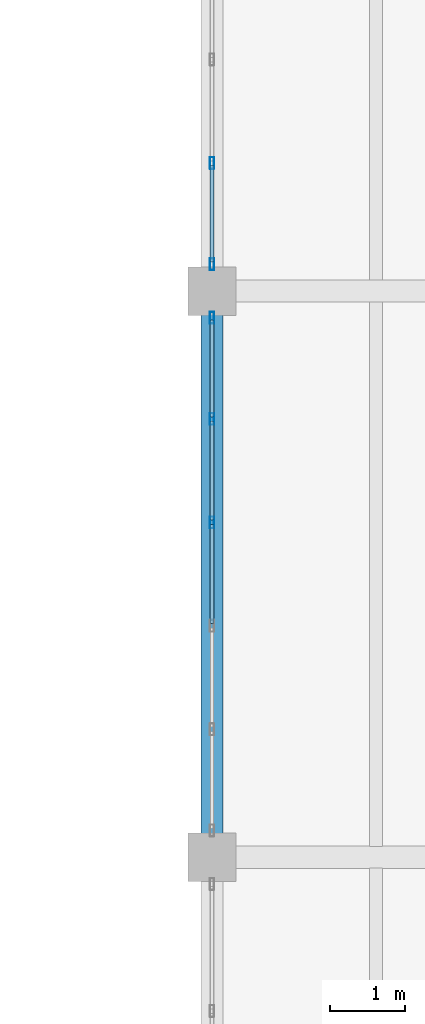
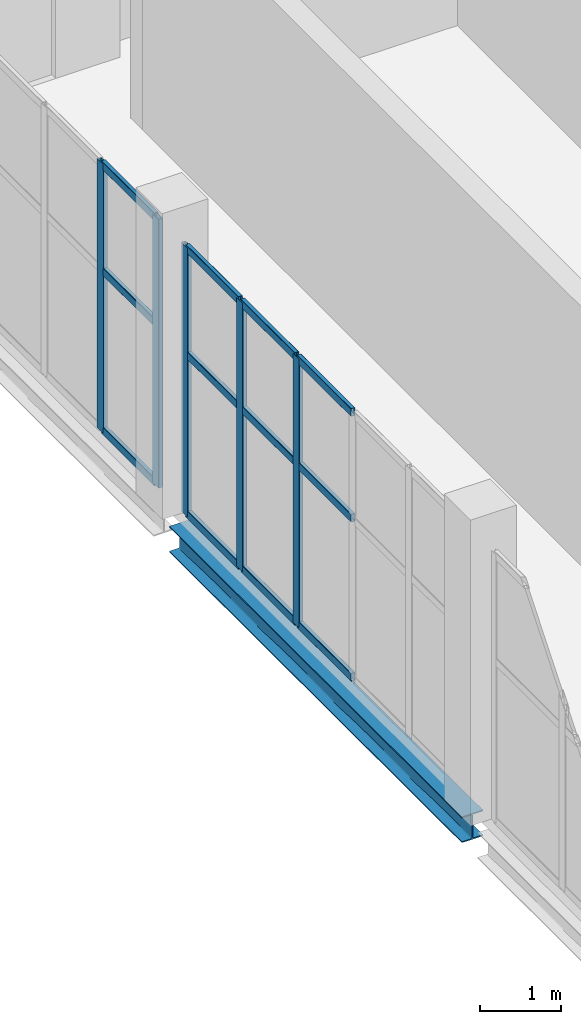
# One storey, part 100 of 172: 17 members, 1 beam, 2 elements without a shape of their own.
"""IFC4 building model written with IfcOpenShell, lengths in metres."""

from ifc_helpers import new_model, si_unit, direction, frame, origin, origin_2d, place, context, subcontext, project, spatial, hollow_rectangle, i_section, extrude, material, material_profile, profile_set, type_object, element, aggregate, save


model = new_model("IFC4")

# Units and contexts
model_context = context("Model", 3, precision=1e-05, world=origin(), true_north=direction((0.0, 1.0)))
body_context = subcontext(model_context, "Body", "Model", "MODEL_VIEW")
ifc_project = project(units=[si_unit("LENGTHUNIT", "METRE"), si_unit("AREAUNIT", "SQUARE_METRE"), si_unit("VOLUMEUNIT", "CUBIC_METRE"), si_unit("PLANEANGLEUNIT", "RADIAN"), si_unit("MASSUNIT", "GRAM", prefix="KILO")], contexts=[model_context])

# Site, building, storey
site_placement = place(None, origin())
site = spatial("IfcSite", under=ifc_project, at=site_placement, CompositionType="ELEMENT")
building_placement = place(site_placement, origin())
building = spatial("IfcBuilding", under=site, at=building_placement, Name="Shengluoqiao Park Theatre", CompositionType="ELEMENT")
storey_placement = place(building_placement, frame((0.0, 0.0, 5.39990234375)))
storey = spatial("IfcBuildingStorey", under=building, at=storey_placement, Name="L01", CompositionType="ELEMENT", Elevation=5.39990234375)

# Curtain wall, members
ifc_material_1 = material(Name="Aluminium 6063-T6", Category="aluminium")
curtain_wall_type = type_object("IfcCurtainWallType", Name="ENV-CW-COURT", PredefinedType="NOTDEFINED", material=ifc_material_1)
curtain_wall_1_placement = place(storey_placement, origin())
curtain_wall_1 = element("IfcCurtainWall", 1, at=curtain_wall_1_placement, inside=storey, type_object=curtain_wall_type, Name="L01 Curtain Wall CWX-L01-0183", PredefinedType="NOTDEFINED")
ifc_material_profile_1 = material_profile(ifc_material_1, hollow_rectangle(XDim=0.06005859375, YDim=0.159912109375, WallThickness=0.00390625, InnerFilletRadius=0.00390625, OuterFilletRadius=0.008056640625, at=origin_2d()), Name="ALU MULLION 160x60x4")
ifc_profile_set_1 = profile_set([ifc_material_profile_1], Name="Aluminium 6063-T6")
member_type_1 = type_object("IfcMemberType", Name="ENV-MUL-160", PredefinedType="MULLION", material=ifc_profile_set_1)
member_1_placement = place(storey_placement, frame((157.199951171875, 42.494140625, 0.0), z_axis=(0.0, 0.0, 1.0), x_axis=(-1.0, 0.0, 0.0)))
member_1 = element("IfcMember", 2, at=member_1_placement, type_object=member_type_1, Name="CW-05 mullion 4", PredefinedType="MULLION", context=body_context, shape_type="SweptSolid", body=[
    extrude(hollow_rectangle(XDim=0.06005859375, YDim=0.159912109375, WallThickness=0.00390625, InnerFilletRadius=0.00390625, OuterFilletRadius=0.008056640625, at=origin_2d()), origin(), (0.0, 0.0, 1.0), 4.044189453125),
])
member_2_placement = place(storey_placement, frame((157.199951171875, 43.882568359375, 0.0), z_axis=(0.0, 0.0, 1.0), x_axis=(-1.0, 0.0, 0.0)))
member_2 = element("IfcMember", 3, at=member_2_placement, type_object=member_type_1, Name="CW-05 mullion 5", PredefinedType="MULLION", context=body_context, shape_type="SweptSolid", body=[
    extrude(hollow_rectangle(XDim=0.06005859375, YDim=0.159912109375, WallThickness=0.00390625, InnerFilletRadius=0.00390625, OuterFilletRadius=0.008056640625, at=origin_2d()), origin(), (0.0, 0.0, 1.0), 4.044189453125),
])
member_3_placement = place(storey_placement, frame((157.199951171875, 45.240966796875, 0.0), z_axis=(0.0, 0.0, 1.0), x_axis=(-1.0, 0.0, 0.0)))
member_3 = element("IfcMember", 4, at=member_3_placement, type_object=member_type_1, Name="CW-05 mullion 6", PredefinedType="MULLION", context=body_context, shape_type="SweptSolid", body=[
    extrude(hollow_rectangle(XDim=0.06005859375, YDim=0.159912109375, WallThickness=0.00390625, InnerFilletRadius=0.00390625, OuterFilletRadius=0.008056640625, at=origin_2d()), origin(), (0.0, 0.0, 1.0), 4.044189453125),
])

curtain_wall_2_placement = place(storey_placement, origin())
curtain_wall_2 = element("IfcCurtainWall", 5, at=curtain_wall_2_placement, inside=storey, type_object=curtain_wall_type, Name="L01 Curtain Wall CWX-L01-0184", PredefinedType="NOTDEFINED")
member_4_placement = place(storey_placement, frame((157.199951171875, 45.958984375, 0.0), z_axis=(0.0, 0.0, 1.0), x_axis=(-1.0, 0.0, 0.0)))
member_4 = element("IfcMember", 6, at=member_4_placement, type_object=member_type_1, Name="CW-05 mullion 1", PredefinedType="MULLION", context=body_context, shape_type="SweptSolid", body=[
    extrude(hollow_rectangle(XDim=0.06005859375, YDim=0.159912109375, WallThickness=0.00390625, InnerFilletRadius=0.00390625, OuterFilletRadius=0.008056640625, at=origin_2d()), origin(), (0.0, 0.0, 1.0), 4.044189453125),
])
member_5_placement = place(storey_placement, frame((157.199951171875, 47.3173828125, 0.0), z_axis=(0.0, 0.0, 1.0), x_axis=(-1.0, 0.0, 0.0)))
member_5 = element("IfcMember", 7, at=member_5_placement, type_object=member_type_1, Name="CW-05 mullion 2", PredefinedType="MULLION", context=body_context, shape_type="SweptSolid", body=[
    extrude(hollow_rectangle(XDim=0.06005859375, YDim=0.159912109375, WallThickness=0.00390625, InnerFilletRadius=0.00390625, OuterFilletRadius=0.008056640625, at=origin_2d()), origin(), (0.0, 0.0, 1.0), 4.044189453125),
])

# Member
ifc_material_profile_2 = material_profile(ifc_material_1, hollow_rectangle(XDim=0.06005859375, YDim=0.1201171875, WallThickness=0.00390625, InnerFilletRadius=0.00390625, OuterFilletRadius=0.008056640625, at=origin_2d()), Name="ALU TRANSOM 120x60x4")
ifc_profile_set_2 = profile_set([ifc_material_profile_2], Name="Aluminium 6063-T6")
member_type_2 = type_object("IfcMemberType", Name="ENV-TRN-120", PredefinedType="USERDEFINED", material=ifc_profile_set_2)
member_6_placement = place(storey_placement, frame((157.199951171875, 41.1357421875, 0.030029296875), z_axis=(0.0, 1.0, 0.0), x_axis=(-1.0, 0.0, 0.0)))
member_6 = element("IfcMember", 8, at=member_6_placement, type_object=member_type_2, Name="CW-05 transom 3.1", ObjectType="TRANSOM", PredefinedType="USERDEFINED", context=body_context, shape_type="SweptSolid", body=[
    extrude(hollow_rectangle(XDim=0.06005859375, YDim=0.1201171875, WallThickness=0.00390625, InnerFilletRadius=0.00390625, OuterFilletRadius=0.008056640625, at=origin_2d()), origin(), (0.0, 0.0, 1.0), 1.328369140625),
])

member_7_placement = place(storey_placement, frame((157.199951171875, 41.1357421875, 2.426025390625), z_axis=(0.0, 1.0, 0.0), x_axis=(-1.0, 0.0, 0.0)))
member_7 = element("IfcMember", 9, at=member_7_placement, type_object=member_type_2, Name="CW-05 transom 3.2", ObjectType="TRANSOM", PredefinedType="USERDEFINED", context=body_context, shape_type="SweptSolid", body=[
    extrude(hollow_rectangle(XDim=0.06005859375, YDim=0.1201171875, WallThickness=0.00390625, InnerFilletRadius=0.00390625, OuterFilletRadius=0.008056640625, at=origin_2d()), origin(), (0.0, 0.0, 1.0), 1.328369140625),
])

member_8_placement = place(storey_placement, frame((157.199951171875, 41.1357421875, 4.01416015625), z_axis=(0.0, 1.0, 0.0), x_axis=(-1.0, 0.0, 0.0)))
member_8 = element("IfcMember", 10, at=member_8_placement, type_object=member_type_2, Name="CW-05 transom 3.3", ObjectType="TRANSOM", PredefinedType="USERDEFINED", context=body_context, shape_type="SweptSolid", body=[
    extrude(hollow_rectangle(XDim=0.06005859375, YDim=0.1201171875, WallThickness=0.00390625, InnerFilletRadius=0.00390625, OuterFilletRadius=0.008056640625, at=origin_2d()), origin(), (0.0, 0.0, 1.0), 1.328369140625),
])

member_9_placement = place(storey_placement, frame((157.199951171875, 42.524169921875, 0.030029296875), z_axis=(0.0, 1.0, 0.0), x_axis=(-1.0, 0.0, 0.0)))
member_9 = element("IfcMember", 11, at=member_9_placement, type_object=member_type_2, Name="CW-05 transom 4.1", ObjectType="TRANSOM", PredefinedType="USERDEFINED", context=body_context, shape_type="SweptSolid", body=[
    extrude(hollow_rectangle(XDim=0.06005859375, YDim=0.1201171875, WallThickness=0.00390625, InnerFilletRadius=0.00390625, OuterFilletRadius=0.008056640625, at=origin_2d()), origin(), (0.0, 0.0, 1.0), 1.328369140625),
])

member_10_placement = place(storey_placement, frame((157.199951171875, 42.524169921875, 2.426025390625), z_axis=(0.0, 1.0, 0.0), x_axis=(-1.0, 0.0, 0.0)))
member_10 = element("IfcMember", 12, at=member_10_placement, type_object=member_type_2, Name="CW-05 transom 4.2", ObjectType="TRANSOM", PredefinedType="USERDEFINED", context=body_context, shape_type="SweptSolid", body=[
    extrude(hollow_rectangle(XDim=0.06005859375, YDim=0.1201171875, WallThickness=0.00390625, InnerFilletRadius=0.00390625, OuterFilletRadius=0.008056640625, at=origin_2d()), origin(), (0.0, 0.0, 1.0), 1.328369140625),
])

member_11_placement = place(storey_placement, frame((157.199951171875, 42.524169921875, 4.01416015625), z_axis=(0.0, 1.0, 0.0), x_axis=(-1.0, 0.0, 0.0)))
member_11 = element("IfcMember", 13, at=member_11_placement, type_object=member_type_2, Name="CW-05 transom 4.3", ObjectType="TRANSOM", PredefinedType="USERDEFINED", context=body_context, shape_type="SweptSolid", body=[
    extrude(hollow_rectangle(XDim=0.06005859375, YDim=0.1201171875, WallThickness=0.00390625, InnerFilletRadius=0.00390625, OuterFilletRadius=0.008056640625, at=origin_2d()), origin(), (0.0, 0.0, 1.0), 1.328369140625),
])

member_12_placement = place(storey_placement, frame((157.199951171875, 43.91259765625, 0.030029296875), z_axis=(0.0, 1.0, 0.0), x_axis=(-1.0, 0.0, 0.0)))
member_12 = element("IfcMember", 14, at=member_12_placement, type_object=member_type_2, Name="CW-05 transom 5.1", ObjectType="TRANSOM", PredefinedType="USERDEFINED", context=body_context, shape_type="SweptSolid", body=[
    extrude(hollow_rectangle(XDim=0.06005859375, YDim=0.1201171875, WallThickness=0.00390625, InnerFilletRadius=0.00390625, OuterFilletRadius=0.008056640625, at=origin_2d()), origin(), (0.0, 0.0, 1.0), 1.29833984375),
])

member_13_placement = place(storey_placement, frame((157.199951171875, 43.91259765625, 2.426025390625), z_axis=(0.0, 1.0, 0.0), x_axis=(-1.0, 0.0, 0.0)))
member_13 = element("IfcMember", 15, at=member_13_placement, type_object=member_type_2, Name="CW-05 transom 5.2", ObjectType="TRANSOM", PredefinedType="USERDEFINED", context=body_context, shape_type="SweptSolid", body=[
    extrude(hollow_rectangle(XDim=0.06005859375, YDim=0.1201171875, WallThickness=0.00390625, InnerFilletRadius=0.00390625, OuterFilletRadius=0.008056640625, at=origin_2d()), origin(), (0.0, 0.0, 1.0), 1.29833984375),
])

member_14_placement = place(storey_placement, frame((157.199951171875, 43.91259765625, 4.01416015625), z_axis=(0.0, 1.0, 0.0), x_axis=(-1.0, 0.0, 0.0)))
member_14 = element("IfcMember", 16, at=member_14_placement, type_object=member_type_2, Name="CW-05 transom 5.3", ObjectType="TRANSOM", PredefinedType="USERDEFINED", context=body_context, shape_type="SweptSolid", body=[
    extrude(hollow_rectangle(XDim=0.06005859375, YDim=0.1201171875, WallThickness=0.00390625, InnerFilletRadius=0.00390625, OuterFilletRadius=0.008056640625, at=origin_2d()), origin(), (0.0, 0.0, 1.0), 1.29833984375),
])

aggregate(curtain_wall_1, [member_1, member_2, member_3, member_6, member_7, member_8, member_9, member_10, member_11, member_12, member_13, member_14])

member_15_placement = place(storey_placement, frame((157.199951171875, 45.989013671875, 0.030029296875), z_axis=(0.0, 1.0, 0.0), x_axis=(-1.0, 0.0, 0.0)))
member_15 = element("IfcMember", 17, at=member_15_placement, type_object=member_type_2, Name="CW-05 transom 1.1", ObjectType="TRANSOM", PredefinedType="USERDEFINED", context=body_context, shape_type="SweptSolid", body=[
    extrude(hollow_rectangle(XDim=0.06005859375, YDim=0.1201171875, WallThickness=0.00390625, InnerFilletRadius=0.00390625, OuterFilletRadius=0.008056640625, at=origin_2d()), origin(), (0.0, 0.0, 1.0), 1.29833984375),
])

member_16_placement = place(storey_placement, frame((157.199951171875, 45.989013671875, 2.426025390625), z_axis=(0.0, 1.0, 0.0), x_axis=(-1.0, 0.0, 0.0)))
member_16 = element("IfcMember", 18, at=member_16_placement, type_object=member_type_2, Name="CW-05 transom 1.2", ObjectType="TRANSOM", PredefinedType="USERDEFINED", context=body_context, shape_type="SweptSolid", body=[
    extrude(hollow_rectangle(XDim=0.06005859375, YDim=0.1201171875, WallThickness=0.00390625, InnerFilletRadius=0.00390625, OuterFilletRadius=0.008056640625, at=origin_2d()), origin(), (0.0, 0.0, 1.0), 1.29833984375),
])

member_17_placement = place(storey_placement, frame((157.199951171875, 45.989013671875, 4.01416015625), z_axis=(0.0, 1.0, 0.0), x_axis=(-1.0, 0.0, 0.0)))
member_17 = element("IfcMember", 19, at=member_17_placement, type_object=member_type_2, Name="CW-05 transom 1.3", ObjectType="TRANSOM", PredefinedType="USERDEFINED", context=body_context, shape_type="SweptSolid", body=[
    extrude(hollow_rectangle(XDim=0.06005859375, YDim=0.1201171875, WallThickness=0.00390625, InnerFilletRadius=0.00390625, OuterFilletRadius=0.008056640625, at=origin_2d()), origin(), (0.0, 0.0, 1.0), 1.29833984375),
])

aggregate(curtain_wall_2, [member_4, member_5, member_15, member_16, member_17])

# Beam
ifc_material_2 = material(Name="Steel Q355", Category="steel")
ifc_material_profile_3 = material_profile(ifc_material_2, i_section(OverallWidth=0.300048828125, OverallDepth=0.389892578125, WebThickness=0.010009765625, FlangeThickness=0.01611328125, FilletRadius=0.01806640625, at=origin_2d()), Name="HM 390x300x10x16")
ifc_profile_set_3 = profile_set([ifc_material_profile_3], Name="Steel Q355")
beam_type = type_object("IfcBeamType", Name="STR-BM-G-HM390", PredefinedType="BEAM", material=ifc_profile_set_3)
beam_placement = place(storey_placement, frame((157.199951171875, 38.194091796875, -0.434814453125), z_axis=(0.0, 1.0, 0.0), x_axis=(-1.0, 0.0, 0.0)))
element("IfcBeam", 20, at=beam_placement, inside=storey, type_object=beam_type, Name="L01 Transverse Girder 00739", PredefinedType="BEAM", context=body_context, shape_type="SweptSolid", body=[
    extrude(i_section(OverallWidth=0.300048828125, OverallDepth=0.389892578125, WebThickness=0.010009765625, FlangeThickness=0.01611328125, FilletRadius=0.01806640625, at=origin_2d()), origin(), (0.0, 0.0, 1.0), 7.2119140625),
])

save(model, "model.ifc")
